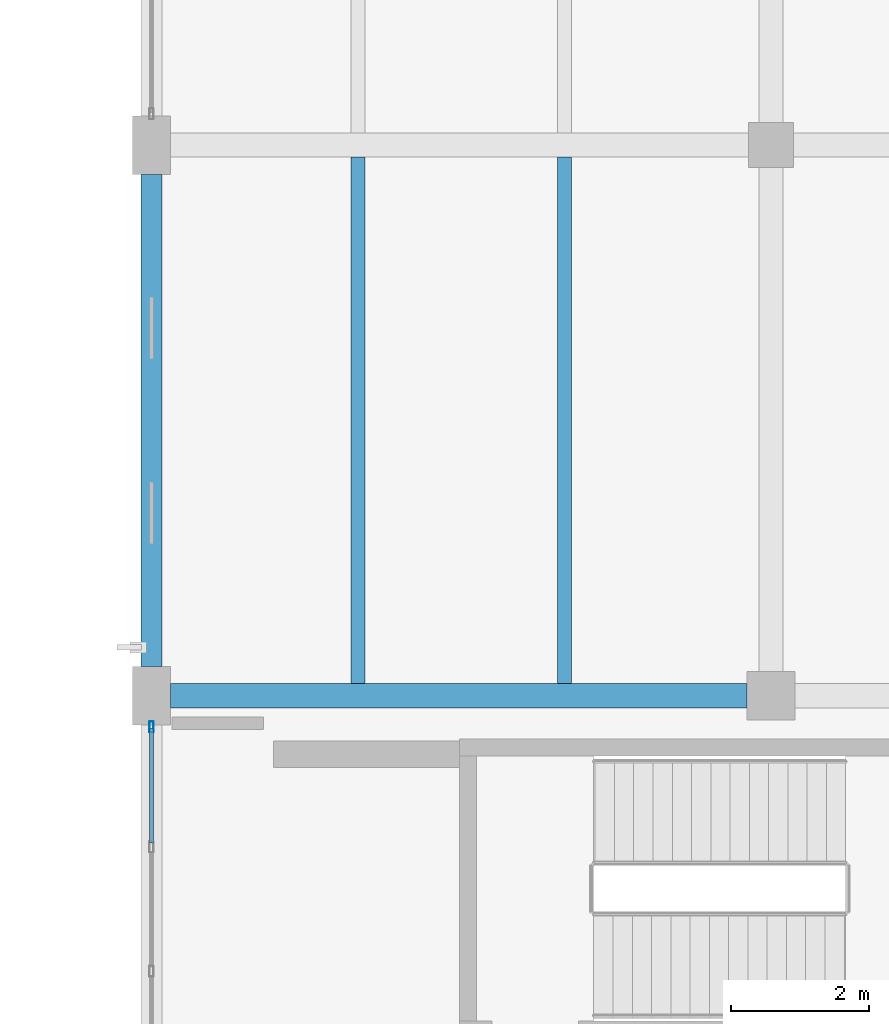
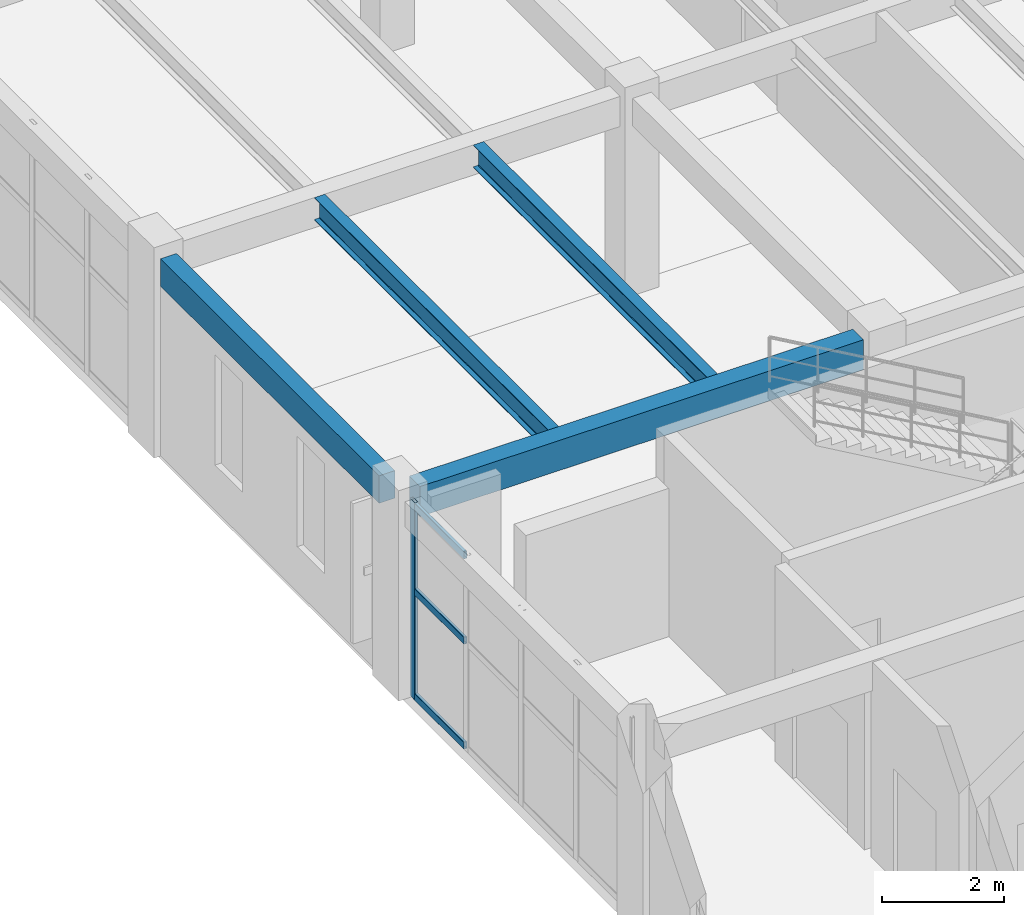
# One storey, part 37 of 71: 4 beams, 4 members, 1 element without a shape of its own.
"""IFC4 building model written with IfcOpenShell, lengths in metres."""

from ifc_helpers import new_model, si_unit, derived_unit, direction, frame, origin, origin_2d, place, context, subcontext, project, spatial, rectangle, hollow_rectangle, i_section, extrude, material, material_profile, profile_set, type_object, element, aggregate, save


model = new_model("IFC4")

# Units and contexts
model_context = context("Model", 3, precision=1e-05, world=origin(), true_north=direction((0.0, 1.0)))
body_context = subcontext(model_context, "Body", "Model", "MODEL_VIEW")
ifc_project = project(units=[si_unit("LENGTHUNIT", "METRE"), si_unit("AREAUNIT", "SQUARE_METRE"), si_unit("VOLUMEUNIT", "CUBIC_METRE"), si_unit("PLANEANGLEUNIT", "RADIAN"), si_unit("MASSUNIT", "GRAM", prefix="KILO"), derived_unit("THERMALTRANSMITTANCEUNIT", [(si_unit("MASSUNIT", "GRAM", prefix="KILO"), 1), (si_unit("TIMEUNIT", "SECOND"), -3), (si_unit("THERMODYNAMICTEMPERATUREUNIT", "KELVIN"), -1)])], contexts=[model_context])

# Site, building, storey
site_placement = place(None, origin())
site = spatial("IfcSite", under=ifc_project, at=site_placement, CompositionType="ELEMENT")
building_placement = place(site_placement, origin())
building = spatial("IfcBuilding", under=site, at=building_placement, Name="Zhenchuan Archway Interchange", CompositionType="ELEMENT")
storey_placement = place(building_placement, frame((0.0, 0.0, 18.60009765625)))
storey = spatial("IfcBuildingStorey", under=building, at=storey_placement, Name="L04", CompositionType="ELEMENT", Elevation=18.60009765625)

# Beam
ifc_material_1 = material(Name="Concrete C40", Category="concrete")
ifc_material_profile_1 = material_profile(ifc_material_1, rectangle(XDim=0.35009765625, YDim=0.60009765625, at=origin_2d()), Name="RC 350x600")
ifc_profile_set_1 = profile_set([ifc_material_profile_1], Name="Concrete C40")
beam_type_1 = type_object("IfcBeamType", Name="BM_RC_350x600", PredefinedType="BEAM", material=ifc_profile_set_1)
beam_1_placement = place(storey_placement, frame((144.27490234375, 64.0, 3.639892578125), z_axis=(1.0, 0.0, 0.0), x_axis=(0.0, 1.0, 0.0)))
element("IfcBeam", 1, at=beam_1_placement, inside=storey, type_object=beam_type_1, Name="Beam J:17-18 (L04)", PredefinedType="BEAM", context=body_context, shape_type="SweptSolid", body=[
    extrude(rectangle(XDim=0.35009765625, YDim=0.60009765625, at=origin_2d()), origin(), (0.0, 0.0, 1.0), 8.375),
])

# Curtain wall, members
ifc_material_2 = material(Name="Anodised Aluminium", Category="aluminium")
curtain_wall_type = type_object("IfcCurtainWallType", Name="CW_UNIT_4", PredefinedType="NOTDEFINED", material=ifc_material_2)
curtain_wall_placement = place(storey_placement, origin())
curtain_wall = element("IfcCurtainWall", 2, at=curtain_wall_placement, inside=storey, type_object=curtain_wall_type, Name="Unitised curtain wall CW:L04:191", PredefinedType="NOTDEFINED")
ifc_material_profile_2 = material_profile(ifc_material_2, hollow_rectangle(XDim=0.06005859375, YDim=0.159912109375, WallThickness=0.00390625, InnerFilletRadius=0.00390625, OuterFilletRadius=0.008056640625, at=origin_2d()), Name="ALU 160x60x4")
ifc_profile_set_2 = profile_set([ifc_material_profile_2], Name="Anodised Aluminium")
member_type_1 = type_object("IfcMemberType", Name="CW_MUL_150", PredefinedType="MULLION", material=ifc_profile_set_2)
member_1_placement = place(storey_placement, frame((144.0, 63.547119140625, 0.0), z_axis=(0.0, 0.0, 1.0), x_axis=(1.0, 0.0, 0.0)))
member_1 = element("IfcMember", 3, at=member_1_placement, type_object=member_type_1, Name="CW:L04:191 mullion 4", PredefinedType="MULLION", context=body_context, shape_type="SweptSolid", body=[
    extrude(hollow_rectangle(XDim=0.06005859375, YDim=0.159912109375, WallThickness=0.00390625, InnerFilletRadius=0.00390625, OuterFilletRadius=0.008056640625, at=origin_2d()), origin(), (0.0, 0.0, 1.0), 3.93994140625),
])
ifc_material_profile_3 = material_profile(ifc_material_2, hollow_rectangle(XDim=0.06005859375, YDim=0.139892578125, WallThickness=0.00341796875, InnerFilletRadius=0.00341796875, OuterFilletRadius=0.007080078125, at=origin_2d()), Name="ALU 140x60x3.5")
ifc_profile_set_3 = profile_set([ifc_material_profile_3], Name="Anodised Aluminium")
member_type_2 = type_object("IfcMemberType", Name="CW_TRN_140", PredefinedType="USERDEFINED", material=ifc_profile_set_3)
member_2_placement = place(storey_placement, frame((144.0, 61.863525390625, 0.059814453125), z_axis=(0.0, 1.0, 0.0), x_axis=(-1.0, 0.0, 0.0)))
member_2 = element("IfcMember", 4, at=member_2_placement, type_object=member_type_2, Name="CW:L04:191 transom 3-1", ObjectType="TRANSOM", PredefinedType="USERDEFINED", context=body_context, shape_type="SweptSolid", body=[
    extrude(hollow_rectangle(XDim=0.06005859375, YDim=0.139892578125, WallThickness=0.00341796875, InnerFilletRadius=0.00341796875, OuterFilletRadius=0.007080078125, at=origin_2d()), origin(), (0.0, 0.0, 1.0), 1.66357421875),
])
member_3_placement = place(storey_placement, frame((144.0, 61.863525390625, 2.156005859375), z_axis=(0.0, 1.0, 0.0), x_axis=(-1.0, 0.0, 0.0)))
member_3 = element("IfcMember", 5, at=member_3_placement, type_object=member_type_2, Name="CW:L04:191 transom 3-2", ObjectType="TRANSOM", PredefinedType="USERDEFINED", context=body_context, shape_type="SweptSolid", body=[
    extrude(hollow_rectangle(XDim=0.06005859375, YDim=0.139892578125, WallThickness=0.00341796875, InnerFilletRadius=0.00341796875, OuterFilletRadius=0.007080078125, at=origin_2d()), origin(), (0.0, 0.0, 1.0), 1.66357421875),
])
member_4_placement = place(storey_placement, frame((144.0, 61.863525390625, 3.85986328125), z_axis=(0.0, 1.0, 0.0), x_axis=(-1.0, 0.0, 0.0)))
member_4 = element("IfcMember", 6, at=member_4_placement, type_object=member_type_2, Name="CW:L04:191 transom 3-3", ObjectType="TRANSOM", PredefinedType="USERDEFINED", context=body_context, shape_type="SweptSolid", body=[
    extrude(hollow_rectangle(XDim=0.06005859375, YDim=0.139892578125, WallThickness=0.00341796875, InnerFilletRadius=0.00341796875, OuterFilletRadius=0.007080078125, at=origin_2d()), origin(), (0.0, 0.0, 1.0), 1.66357421875),
])
aggregate(curtain_wall, [member_1, member_2, member_3, member_4])

# Beams
ifc_material_3 = material(Name="Steel Q355", Category="steel")
ifc_material_profile_4 = material_profile(ifc_material_3, i_section(OverallWidth=0.199951171875, OverallDepth=0.449951171875, WebThickness=0.009033203125, FlangeThickness=0.013916015625, FilletRadius=0.01806640625, at=origin_2d()), Name="HN 450x200")
ifc_profile_set_4 = profile_set([ifc_material_profile_4], Name="Steel Q355")
beam_type_2 = type_object("IfcBeamType", Name="JST_STL_HN450", PredefinedType="JOIST", material=ifc_profile_set_4)
for number, where, z_axis, x_axis, name in (
    (7, (147.0, 64.175048828125, 3.71484375), (0.0, 1.0, 0.0), (-1.0, 0.0, 0.0), "Secondary joist 17-18/J-K #1 (L04)"),
    (8, (150.0, 64.175048828125, 3.71484375), (0.0, 1.0, 0.0), (-1.0, 0.0, 0.0), "Secondary joist 17-18/J-K #2 (L04)"),
):
    element("IfcBeam", number, at=place(storey_placement, frame(where, z_axis=z_axis, x_axis=x_axis)), inside=storey, type_object=beam_type_2, Name=name, PredefinedType="JOIST", context=body_context, shape_type="SweptSolid", body=[
        extrude(i_section(OverallWidth=0.199951171875, OverallDepth=0.449951171875, WebThickness=0.009033203125, FlangeThickness=0.013916015625, FilletRadius=0.01806640625, at=origin_2d()), origin(), (0.0, 0.0, 1.0), 7.64990234375),
    ])
ifc_material_profile_5 = material_profile(ifc_material_1, rectangle(XDim=0.300048828125, YDim=0.550048828125, at=origin_2d()), Name="RC 300x550")
ifc_profile_set_5 = profile_set([ifc_material_profile_5], Name="Concrete C40")
beam_type_3 = type_object("IfcBeamType", Name="SP_RC_300x550", PredefinedType="SPANDREL", material=ifc_profile_set_5)
beam_2_placement = place(storey_placement, frame((144.0, 64.425048828125, 3.664794921875), z_axis=(0.0, 1.0, 0.0), x_axis=(-1.0, 0.0, 0.0)))
element("IfcBeam", 9, at=beam_2_placement, inside=storey, type_object=beam_type_3, Name="Beam 17:J-K (L04)", PredefinedType="SPANDREL", context=body_context, shape_type="SweptSolid", body=[
    extrude(rectangle(XDim=0.300048828125, YDim=0.550048828125, at=origin_2d()), origin(), (0.0, 0.0, 1.0), 7.14990234375),
])

save(model, "model.ifc")
